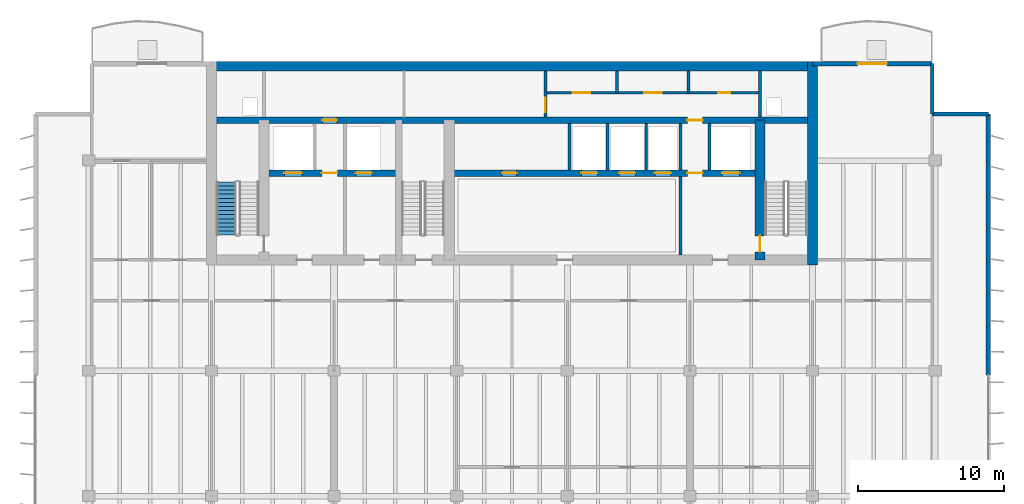
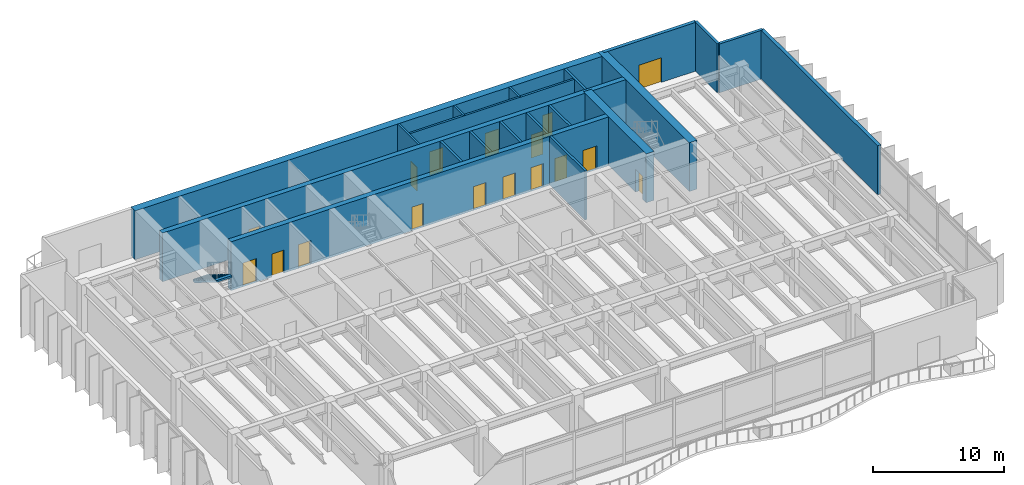
# One storey, part 10 of 15: 20 walls, 17 doors, 1 stair flight, 17 openings, 1 element without a shape of its own.
"""IFC4 building model written with IfcOpenShell, lengths in metres."""

from ifc_helpers import new_model, si_unit, direction, frame, frame_2d, origin, place, context, subcontext, project, spatial, polyline, rectangle, outline, extrude, material, layer, layer_set, type_object, element, fill, aggregate, save


model = new_model("IFC4")

# Units and contexts
model_context = context("Model", 3, precision=1e-05, world=origin(), true_north=direction((0.0, 1.0)))
body_context = subcontext(model_context, "Body", "Model", "MODEL_VIEW")
ifc_project = project(units=[si_unit("LENGTHUNIT", "METRE"), si_unit("AREAUNIT", "SQUARE_METRE"), si_unit("VOLUMEUNIT", "CUBIC_METRE"), si_unit("PLANEANGLEUNIT", "RADIAN"), si_unit("MASSUNIT", "GRAM", prefix="KILO")], contexts=[model_context])

# Site, building, storey
site_placement = place(None, origin())
site = spatial("IfcSite", under=ifc_project, at=site_placement, CompositionType="ELEMENT")
building_placement = place(site_placement, origin())
building = spatial("IfcBuilding", under=site, at=building_placement, Name="Caelmar Bay Residences", CompositionType="ELEMENT")
storey_placement = place(building_placement, frame((0.0, 0.0, 183.60009765625)))
storey = spatial("IfcBuildingStorey", under=building, at=storey_placement, Name="L51", CompositionType="ELEMENT", Elevation=183.60009765625)

# Wall
ifc_material_1 = material(Name="Concrete f'c 55 MPa (8,000 psi)", Category="concrete")
ifc_layer_1 = layer(ifc_material_1, 0.699951171875)
ifc_layer_set_1 = layer_set([ifc_layer_1], Name="Concrete f'c 55 MPa (8,000 psi)")
wall_type_1 = type_object("IfcWallType", Name="SW-COR-700", PredefinedType="SHEAR", material=ifc_layer_set_1)
wall_1_placement = place(storey_placement, frame((59.5, 36.64990234375, 0.0), z_axis=(0.0, 0.0, 1.0), x_axis=(0.0, 1.0, 0.0)))
element("IfcWall", 1, at=wall_1_placement, inside=storey, type_object=wall_type_1, Name="L51 Rear Core East Shear Wall", PredefinedType="SHEAR", context=body_context, shape_type="SweptSolid", body=[
    extrude(rectangle(XDim=13.9501953125, YDim=0.699951171875, at=frame_2d((6.97509765625, 0.0))), origin(), (0.0, 0.0, 1.0), 4.5498046875),
])

# Wall, opening, door
wall_2_placement = place(storey_placement, frame((55.89990234375, 37.0, 0.0), z_axis=(0.0, 0.0, 1.0), x_axis=(0.0, 1.0, 0.0)))
wall_2 = element("IfcWall", 2, at=wall_2_placement, inside=storey, type_object=wall_type_1, Name="L51 Core Structural Web Wall ST2W", PredefinedType="SHEAR", context=body_context, shape_type="SweptSolid", body=[
    extrude(rectangle(XDim=9.574951171875, YDim=0.699951171875, at=frame_2d((4.78759765625, 0.0))), origin(), (0.0, 0.0, 1.0), 4.5498046875),
])
opening_1_placement = place(wall_2_placement, frame((0.550048828125, 0.0, 0.0)))
opening_1 = element("IfcOpeningElement", 3, at=opening_1_placement, cuts=wall_2, Name="Opening D-L51-112", PredefinedType="OPENING", context=body_context, shape_type="SweptSolid", body=[
    extrude(rectangle(XDim=1.10009765625, YDim=2.14990234375, at=frame_2d((0.550048828125, 1.074951171875))), frame((0.0, 0.35986328125, 0.0), z_axis=(0.0, -1.0, 0.0), x_axis=(1.0, 0.0, 0.0)), (0.0, 0.0, 1.0), 0.719970703125),
])
ifc_material_2 = material(Name="Fire-rated steel and walnut architectural door assembly", Category="steel")
ifc_layer_2 = layer(ifc_material_2, 0.050048828125)
ifc_layer_set_2 = layer_set([ifc_layer_2], Name="Fire-rated steel and walnut architectural door assembly")
door_type_1 = type_object("IfcDoorType", Name="D-STAIR-1100", OperationType="NOTDEFINED", PredefinedType="DOOR", material=ifc_layer_set_2)
door_1_placement = place(opening_1_placement, origin())
door_1 = element("IfcDoor", 4, at=door_1_placement, inside=storey, type_object=door_type_1, Name="L51 Firefighting Lobby East Door", OperationType="SINGLE_SWING_RIGHT", OverallHeight=2.14990234375, OverallWidth=1.10009765625, PredefinedType="DOOR", context=body_context, shape_type="SweptSolid", body=[
    extrude(rectangle(XDim=1.10009765625, YDim=2.14990234375, at=frame_2d((0.550048828125, 1.074951171875))), frame((0.0, 0.02490234375, 0.0), z_axis=(0.0, -1.0, 0.0), x_axis=(1.0, 0.0, 0.0)), (0.0, 0.0, 1.0), 0.050048828125),
])
fill(opening_1, door_1)

# Wall
ifc_layer_3 = layer(ifc_material_1, 0.64990234375)
ifc_layer_set_3 = layer_set([ifc_layer_3], Name="Concrete f'c 55 MPa (8,000 psi)")
wall_type_2 = type_object("IfcWallType", Name="SW-CORN-650", PredefinedType="SHEAR", material=ifc_layer_set_3)
wall_3_placement = place(storey_placement, frame((17.949951171875, 50.27490234375, 0.0), z_axis=(0.0, 0.0, 1.0), x_axis=(1.0, 0.0, 0.0)))
element("IfcWall", 5, at=wall_3_placement, inside=storey, type_object=wall_type_2, Name="L51 Rear Core North Shear Wall", PredefinedType="SHEAR", context=body_context, shape_type="SweptSolid", body=[
    extrude(rectangle(XDim=41.900146484375, YDim=0.64990234375, at=frame_2d((20.9501953125, 0.0))), origin(), (0.0, 0.0, 1.0), 4.5498046875),
])

# Wall, openings, doors
ifc_material_3 = material(Name="Concrete f'c 70 MPa (10,000 psi)", Category="concrete")
ifc_layer_4 = layer(ifc_material_3, 0.449951171875)
ifc_layer_set_4 = layer_set([ifc_layer_4], Name="Concrete f'c 70 MPa (10,000 psi)")
wall_type_3 = type_object("IfcWallType", Name="SW-WEB-450", PredefinedType="SHEAR", material=ifc_layer_set_4)
wall_4_placement = place(storey_placement, frame((22.25, 42.949951171875, 0.0), z_axis=(0.0, 0.0, 1.0), x_axis=(1.0, 0.0, 0.0)))
wall_4 = element("IfcWall", 6, at=wall_4_placement, inside=storey, type_object=wall_type_3, Name="L51 Core Structural Web Wall LFR", PredefinedType="SHEAR", context=body_context, shape_type="SweptSolid", body=[
    extrude(rectangle(XDim=33.300048828125, YDim=0.449951171875, at=frame_2d((16.64990234375, 0.0))), origin(), (0.0, 0.0, 1.0), 4.5498046875),
])
opening_2_placement = place(wall_4_placement, frame((1.050048828125, 0.0, 0.0)))
opening_2 = element("IfcOpeningElement", 7, at=opening_2_placement, cuts=wall_4, Name="Opening LD2", PredefinedType="OPENING", context=body_context, shape_type="SweptSolid", body=[
    extrude(rectangle(XDim=1.199951171875, YDim=2.199951171875, at=frame_2d((0.60009765625, 1.10009765625))), frame((0.0, 0.23486328125, 0.0), z_axis=(0.0, -1.0, 0.0), x_axis=(1.0, 0.0, 0.0)), (0.0, 0.0, 1.0), 0.469970703125),
])
opening_3_placement = place(wall_4_placement, frame((31.050048828125, 0.0, 0.0)))
opening_3 = element("IfcOpeningElement", 8, at=opening_3_placement, cuts=wall_4, Name="Opening LD2", PredefinedType="OPENING", context=body_context, shape_type="SweptSolid", body=[
    extrude(rectangle(XDim=1.199951171875, YDim=2.199951171875, at=frame_2d((0.60009765625, 1.10009765625))), frame((0.0, 0.23486328125, 0.0), z_axis=(0.0, -1.0, 0.0), x_axis=(1.0, 0.0, 0.0)), (0.0, 0.0, 1.0), 0.469970703125),
])
opening_4_placement = place(wall_4_placement, frame((21.39990234375, 0.0, 0.0)))
opening_4 = element("IfcOpeningElement", 9, at=opening_4_placement, cuts=wall_4, Name="Opening LD1", PredefinedType="OPENING", context=body_context, shape_type="SweptSolid", body=[
    extrude(rectangle(XDim=1.10009765625, YDim=2.199951171875, at=frame_2d((0.550048828125, 1.10009765625))), frame((0.0, 0.23486328125, 0.0), z_axis=(0.0, -1.0, 0.0), x_axis=(1.0, 0.0, 0.0)), (0.0, 0.0, 1.0), 0.469970703125),
])
opening_5_placement = place(wall_4_placement, frame((24.0, 0.0, 0.0)))
opening_5 = element("IfcOpeningElement", 10, at=opening_5_placement, cuts=wall_4, Name="Opening LD1", PredefinedType="OPENING", context=body_context, shape_type="SweptSolid", body=[
    extrude(rectangle(XDim=1.10009765625, YDim=2.199951171875, at=frame_2d((0.550048828125, 1.10009765625))), frame((0.0, 0.23486328125, 0.0), z_axis=(0.0, -1.0, 0.0), x_axis=(1.0, 0.0, 0.0)), (0.0, 0.0, 1.0), 0.469970703125),
])
opening_6_placement = place(wall_4_placement, frame((26.449951171875, 0.0, 0.0)))
opening_6 = element("IfcOpeningElement", 11, at=opening_6_placement, cuts=wall_4, Name="Opening LD1", PredefinedType="OPENING", context=body_context, shape_type="SweptSolid", body=[
    extrude(rectangle(XDim=1.10009765625, YDim=2.199951171875, at=frame_2d((0.550048828125, 1.10009765625))), frame((0.0, 0.23486328125, 0.0), z_axis=(0.0, -1.0, 0.0), x_axis=(1.0, 0.0, 0.0)), (0.0, 0.0, 1.0), 0.469970703125),
])
opening_7_placement = place(wall_4_placement, frame((5.949951171875, 0.0, 0.0)))
opening_7 = element("IfcOpeningElement", 12, at=opening_7_placement, cuts=wall_4, Name="Opening LD1", PredefinedType="OPENING", context=body_context, shape_type="SweptSolid", body=[
    extrude(rectangle(XDim=1.10009765625, YDim=2.199951171875, at=frame_2d((0.550048828125, 1.10009765625))), frame((0.0, 0.23486328125, 0.0), z_axis=(0.0, -1.0, 0.0), x_axis=(1.0, 0.0, 0.0)), (0.0, 0.0, 1.0), 0.469970703125),
])
opening_8_placement = place(wall_4_placement, frame((3.625, 0.0, 0.0)))
opening_8 = element("IfcOpeningElement", 13, at=opening_8_placement, cuts=wall_4, Name="Opening D-L51-110", PredefinedType="OPENING", context=body_context, shape_type="SweptSolid", body=[
    extrude(rectangle(XDim=1.050048828125, YDim=2.14990234375, at=frame_2d((0.52490234375, 1.074951171875))), frame((0.0, 0.23486328125, 0.0), z_axis=(0.0, -1.0, 0.0), x_axis=(1.0, 0.0, 0.0)), (0.0, 0.0, 1.0), 0.469970703125),
])
opening_9_placement = place(wall_4_placement, frame((28.675048828125, 0.0, 0.0)))
opening_9 = element("IfcOpeningElement", 14, at=opening_9_placement, cuts=wall_4, Name="Opening D-L51-113", PredefinedType="OPENING", context=body_context, shape_type="SweptSolid", body=[
    extrude(rectangle(XDim=1.050048828125, YDim=2.14990234375, at=frame_2d((0.52490234375, 1.074951171875))), frame((0.0, 0.23486328125, 0.0), z_axis=(0.0, -1.0, 0.0), x_axis=(1.0, 0.0, 0.0)), (0.0, 0.0, 1.0), 0.469970703125),
])
opening_10_placement = place(wall_4_placement, frame((15.97509765625, 0.0, 0.0)))
opening_10 = element("IfcOpeningElement", 15, at=opening_10_placement, cuts=wall_4, Name="Opening D-L51-116", PredefinedType="OPENING", context=body_context, shape_type="SweptSolid", body=[
    extrude(rectangle(XDim=1.0, YDim=2.199951171875, at=frame_2d((0.5, 1.10009765625))), frame((0.0, 0.23486328125, 0.0), z_axis=(0.0, -1.0, 0.0), x_axis=(1.0, 0.0, 0.0)), (0.0, 0.0, 1.0), 0.469970703125),
])
ifc_layer_5 = layer(ifc_material_2, 0.050048828125)
ifc_layer_set_5 = layer_set([ifc_layer_5], Name="Fire-rated steel and walnut architectural door assembly")
door_type_2 = type_object("IfcDoorType", Name="D-FSAE-1050", OperationType="NOTDEFINED", PredefinedType="DOOR", material=ifc_layer_set_5)
door_2_placement = place(opening_8_placement, origin())
door_2 = element("IfcDoor", 16, at=door_2_placement, inside=storey, type_object=door_type_2, Name="L51 Firefighting Lobby West Door", OperationType="SINGLE_SWING_RIGHT", OverallHeight=2.14990234375, OverallWidth=1.050048828125, PredefinedType="DOOR", context=body_context, shape_type="SweptSolid", body=[
    extrude(rectangle(XDim=1.050048828125, YDim=2.14990234375, at=frame_2d((0.52490234375, 1.074951171875))), frame((0.0, 0.02490234375, 0.0), z_axis=(0.0, -1.0, 0.0), x_axis=(1.0, 0.0, 0.0)), (0.0, 0.0, 1.0), 0.050048828125),
])
fill(opening_8, door_2)
door_3_placement = place(opening_9_placement, origin())
door_3 = element("IfcDoor", 17, at=door_3_placement, inside=storey, type_object=door_type_2, Name="L51 Firefighting Lobby East Door", OperationType="SINGLE_SWING_LEFT", OverallHeight=2.14990234375, OverallWidth=1.050048828125, PredefinedType="DOOR", context=body_context, shape_type="SweptSolid", body=[
    extrude(rectangle(XDim=1.050048828125, YDim=2.14990234375, at=frame_2d((0.52490234375, 1.074951171875))), frame((0.0, 0.02490234375, 0.0), z_axis=(0.0, -1.0, 0.0), x_axis=(1.0, 0.0, 0.0)), (0.0, 0.0, 1.0), 0.050048828125),
])
fill(opening_9, door_3)
ifc_material_4 = material(Name="Brushed bronze stainless-steel fire-rated lift landing doors", Category="steel")
ifc_layer_6 = layer(ifc_material_4, 0.050048828125)
ifc_layer_set_6 = layer_set([ifc_layer_6], Name="Brushed bronze stainless-steel fire-rated lift landing doors")
door_type_3 = type_object("IfcDoorType", Name="D-LND-1100", OperationType="DOUBLE_DOOR_SLIDING", PredefinedType="DOOR", material=ifc_layer_set_6)
door_4_placement = place(opening_4_placement, origin())
door_4 = element("IfcDoor", 18, at=door_4_placement, inside=storey, type_object=door_type_3, Name="L51 LP4 Sliding Landing Door", OperationType="DOUBLE_DOOR_SLIDING", OverallHeight=2.199951171875, OverallWidth=1.10009765625, PredefinedType="DOOR", context=body_context, shape_type="SweptSolid", body=[
    extrude(rectangle(XDim=1.10009765625, YDim=2.199951171875, at=frame_2d((0.550048828125, 1.10009765625))), frame((0.0, 0.02490234375, 0.0), z_axis=(0.0, -1.0, 0.0), x_axis=(1.0, 0.0, 0.0)), (0.0, 0.0, 1.0), 0.050048828125),
])
fill(opening_4, door_4)
door_5_placement = place(opening_5_placement, origin())
door_5 = element("IfcDoor", 19, at=door_5_placement, inside=storey, type_object=door_type_3, Name="L51 LP5 Sliding Landing Door", OperationType="DOUBLE_DOOR_SLIDING", OverallHeight=2.199951171875, OverallWidth=1.10009765625, PredefinedType="DOOR", context=body_context, shape_type="SweptSolid", body=[
    extrude(rectangle(XDim=1.10009765625, YDim=2.199951171875, at=frame_2d((0.550048828125, 1.10009765625))), frame((0.0, 0.02490234375, 0.0), z_axis=(0.0, -1.0, 0.0), x_axis=(1.0, 0.0, 0.0)), (0.0, 0.0, 1.0), 0.050048828125),
])
fill(opening_5, door_5)
door_6_placement = place(opening_6_placement, origin())
door_6 = element("IfcDoor", 20, at=door_6_placement, inside=storey, type_object=door_type_3, Name="L51 LP6 Sliding Landing Door", OperationType="DOUBLE_DOOR_SLIDING", OverallHeight=2.199951171875, OverallWidth=1.10009765625, PredefinedType="DOOR", context=body_context, shape_type="SweptSolid", body=[
    extrude(rectangle(XDim=1.10009765625, YDim=2.199951171875, at=frame_2d((0.550048828125, 1.10009765625))), frame((0.0, 0.02490234375, 0.0), z_axis=(0.0, -1.0, 0.0), x_axis=(1.0, 0.0, 0.0)), (0.0, 0.0, 1.0), 0.050048828125),
])
fill(opening_6, door_6)
door_7_placement = place(opening_7_placement, origin())
door_7 = element("IfcDoor", 21, at=door_7_placement, inside=storey, type_object=door_type_3, Name="L51 LP7 Sliding Landing Door", OperationType="DOUBLE_DOOR_SLIDING", OverallHeight=2.199951171875, OverallWidth=1.10009765625, PredefinedType="DOOR", context=body_context, shape_type="SweptSolid", body=[
    extrude(rectangle(XDim=1.10009765625, YDim=2.199951171875, at=frame_2d((0.550048828125, 1.10009765625))), frame((0.0, 0.02490234375, 0.0), z_axis=(0.0, -1.0, 0.0), x_axis=(1.0, 0.0, 0.0)), (0.0, 0.0, 1.0), 0.050048828125),
])
fill(opening_7, door_7)
ifc_material_5 = material(Name="Brushed stainless-steel FSAE sliding landing door", Category="steel")
ifc_layer_7 = layer(ifc_material_5, 0.050048828125)
ifc_layer_set_7 = layer_set([ifc_layer_7], Name="Brushed stainless-steel FSAE sliding landing door")
door_type_4 = type_object("IfcDoorType", Name="D-LND-1200", OperationType="DOUBLE_DOOR_SLIDING", PredefinedType="DOOR", material=ifc_layer_set_7)
door_8_placement = place(opening_2_placement, origin())
door_8 = element("IfcDoor", 22, at=door_8_placement, inside=storey, type_object=door_type_4, Name="L51 LF1 Sliding Landing Door", OperationType="DOUBLE_DOOR_SLIDING", OverallHeight=2.199951171875, OverallWidth=1.199951171875, PredefinedType="DOOR", context=body_context, shape_type="SweptSolid", body=[
    extrude(rectangle(XDim=1.199951171875, YDim=2.199951171875, at=frame_2d((0.60009765625, 1.10009765625))), frame((0.0, 0.02490234375, 0.0), z_axis=(0.0, -1.0, 0.0), x_axis=(1.0, 0.0, 0.0)), (0.0, 0.0, 1.0), 0.050048828125),
])
fill(opening_2, door_8)
door_9_placement = place(opening_3_placement, origin())
door_9 = element("IfcDoor", 23, at=door_9_placement, inside=storey, type_object=door_type_4, Name="L51 LF2 Sliding Landing Door", OperationType="DOUBLE_DOOR_SLIDING", OverallHeight=2.199951171875, OverallWidth=1.199951171875, PredefinedType="DOOR", context=body_context, shape_type="SweptSolid", body=[
    extrude(rectangle(XDim=1.199951171875, YDim=2.199951171875, at=frame_2d((0.60009765625, 1.10009765625))), frame((0.0, 0.02490234375, 0.0), z_axis=(0.0, -1.0, 0.0), x_axis=(1.0, 0.0, 0.0)), (0.0, 0.0, 1.0), 0.050048828125),
])
fill(opening_3, door_9)
ifc_layer_8 = layer(ifc_material_2, 0.050048828125)
ifc_layer_set_8 = layer_set([ifc_layer_8], Name="Fire-rated steel and walnut architectural door assembly")
door_type_5 = type_object("IfcDoorType", Name="D-UNIT-1000", OperationType="NOTDEFINED", PredefinedType="DOOR", material=ifc_layer_set_8)
door_10_placement = place(opening_10_placement, origin())
door_10 = element("IfcDoor", 24, at=door_10_placement, inside=storey, type_object=door_type_5, Name="L51 Quiet Reading Study Door", OperationType="SINGLE_SWING_RIGHT", OverallHeight=2.199951171875, OverallWidth=1.0, PredefinedType="DOOR", context=body_context, shape_type="SweptSolid", body=[
    extrude(rectangle(XDim=1.0, YDim=2.199951171875, at=frame_2d((0.5, 1.10009765625))), frame((0.0, 0.02490234375, 0.0), z_axis=(0.0, -1.0, 0.0), x_axis=(1.0, 0.0, 0.0)), (0.0, 0.0, 1.0), 0.050048828125),
])
fill(opening_10, door_10)

wall_5_placement = place(storey_placement, frame((18.300048828125, 46.574951171875, 0.0), z_axis=(0.0, 0.0, 1.0), x_axis=(1.0, 0.0, 0.0)))
wall_5 = element("IfcWall", 25, at=wall_5_placement, inside=storey, type_object=wall_type_3, Name="L51 Core Structural Web Wall SRVS", PredefinedType="SHEAR", context=body_context, shape_type="SweptSolid", body=[
    extrude(rectangle(XDim=41.199951171875, YDim=0.449951171875, at=frame_2d((20.60009765625, 0.0))), origin(), (0.0, 0.0, 1.0), 4.5498046875),
])
opening_11_placement = place(wall_5_placement, frame((7.60009765625, 0.0, 0.0)))
opening_11 = element("IfcOpeningElement", 26, at=opening_11_placement, cuts=wall_5, Name="Opening D-L51-117", PredefinedType="OPENING", context=body_context, shape_type="SweptSolid", body=[
    extrude(rectangle(XDim=1.0, YDim=2.199951171875, at=frame_2d((0.5, 1.10009765625))), frame((0.0, 0.23486328125, 0.0), z_axis=(0.0, -1.0, 0.0), x_axis=(1.0, 0.0, 0.0)), (0.0, 0.0, 1.0), 0.469970703125),
])
opening_12_placement = place(wall_5_placement, frame((32.625, 0.0, 0.0)))
opening_12 = element("IfcOpeningElement", 27, at=opening_12_placement, cuts=wall_5, Name="Opening D-L51-118", PredefinedType="OPENING", context=body_context, shape_type="SweptSolid", body=[
    extrude(rectangle(XDim=1.050048828125, YDim=2.14990234375, at=frame_2d((0.52490234375, 1.074951171875))), frame((0.0, 0.23486328125, 0.0), z_axis=(0.0, -1.0, 0.0), x_axis=(1.0, 0.0, 0.0)), (0.0, 0.0, 1.0), 0.469970703125),
])
door_11_placement = place(opening_12_placement, origin())
door_11 = element("IfcDoor", 28, at=door_11_placement, inside=storey, type_object=door_type_2, Name="L51 East Core Service Corridor Door", OperationType="SINGLE_SWING_RIGHT", OverallHeight=2.14990234375, OverallWidth=1.050048828125, PredefinedType="DOOR", context=body_context, shape_type="SweptSolid", body=[
    extrude(rectangle(XDim=1.050048828125, YDim=2.14990234375, at=frame_2d((0.52490234375, 1.074951171875))), frame((0.0, 0.02490234375, 0.0), z_axis=(0.0, -1.0, 0.0), x_axis=(1.0, 0.0, 0.0)), (0.0, 0.0, 1.0), 0.050048828125),
])
fill(opening_12, door_11)
door_12_placement = place(opening_11_placement, origin())
door_12 = element("IfcDoor", 29, at=door_12_placement, inside=storey, type_object=door_type_5, Name="L51 Package Concierge Office Door", OperationType="SINGLE_SWING_LEFT", OverallHeight=2.199951171875, OverallWidth=1.0, PredefinedType="DOOR", context=body_context, shape_type="SweptSolid", body=[
    extrude(rectangle(XDim=1.0, YDim=2.199951171875, at=frame_2d((0.5, 1.10009765625))), frame((0.0, 0.02490234375, 0.0), z_axis=(0.0, -1.0, 0.0), x_axis=(1.0, 0.0, 0.0)), (0.0, 0.0, 1.0), 0.050048828125),
])
fill(opening_11, door_12)

# Wall, opening, door
ifc_material_6 = material(Name="Double-stud acoustic fire-rated gypsum partition 180 mm")
ifc_layer_9 = layer(ifc_material_6, 0.179931640625)
ifc_layer_set_9 = layer_set([ifc_layer_9], Name="Double-stud acoustic fire-rated gypsum partition 180 mm")
wall_type_4 = type_object("IfcWallType", Name="W-COR-200", PredefinedType="PARTITIONING", material=ifc_layer_set_9)
wall_6_placement = place(storey_placement, frame((41.199951171875, 46.794921875, 0.0), z_axis=(0.0, 0.0, 1.0), x_axis=(0.0, 1.0, 0.0)))
wall_6 = element("IfcWall", 30, at=wall_6_placement, inside=storey, type_object=wall_type_4, Name="L51 Partition Wall V012", PredefinedType="PARTITIONING", context=body_context, shape_type="SweptSolid", body=[
    extrude(rectangle(XDim=3.16015625, YDim=0.179931640625, at=frame_2d((1.580078125, 0.0))), origin(), (0.0, 0.0, 1.0), 4.5498046875),
])
opening_13_placement = place(wall_6_placement, frame((0.327392578125, 0.0, 0.0)))
opening_13 = element("IfcOpeningElement", 31, at=opening_13_placement, cuts=wall_6, Name="Opening D-L51-119", PredefinedType="OPENING", context=body_context, shape_type="SweptSolid", body=[
    extrude(rectangle(XDim=1.0, YDim=2.199951171875, at=frame_2d((0.5, 1.10009765625))), frame((0.0, 0.099853515625, 0.0), z_axis=(0.0, -1.0, 0.0), x_axis=(1.0, 0.0, 0.0)), (0.0, 0.0, 1.0), 0.199951171875),
])
door_13_placement = place(opening_13_placement, origin())
door_13 = element("IfcDoor", 32, at=door_13_placement, inside=storey, type_object=door_type_5, Name="L51 Engineering Control Office Door", OperationType="SINGLE_SWING_LEFT", OverallHeight=2.199951171875, OverallWidth=1.0, PredefinedType="DOOR", context=body_context, shape_type="SweptSolid", body=[
    extrude(rectangle(XDim=1.0, YDim=2.199951171875, at=frame_2d((0.5, 1.10009765625))), frame((0.0, 0.02490234375, 0.0), z_axis=(0.0, -1.0, 0.0), x_axis=(1.0, 0.0, 0.0)), (0.0, 0.0, 1.0), 0.050048828125),
])
fill(opening_13, door_13)

# Walls
for number, where, z_axis, x_axis, name in (
    (33, (46.10009765625, 48.449951171875, 0.0), (0.0, 0.0, 1.0), (0.0, 1.0, 0.0), "L51 Partition Wall V016"),
    (34, (51.0, 48.449951171875, 0.0), (0.0, 0.0, 1.0), (0.0, 1.0, 0.0), "L51 Partition Wall V020"),
):
    element("IfcWall", number, at=place(storey_placement, frame(where, z_axis=z_axis, x_axis=x_axis)), inside=storey, type_object=wall_type_4, Name=name, PredefinedType="PARTITIONING", context=body_context, shape_type="SweptSolid", body=[
        extrude(rectangle(XDim=1.505126953125, YDim=0.179931640625, at=frame_2d((0.75244140625, 0.0))), origin(), (0.0, 0.0, 1.0), 4.5498046875),
    ])

# Wall, openings, doors
wall_7_placement = place(storey_placement, frame((41.199951171875, 48.449951171875, 0.0), z_axis=(0.0, 0.0, 1.0), x_axis=(1.0, 0.0, 0.0)))
wall_7 = element("IfcWall", 35, at=wall_7_placement, inside=storey, type_object=wall_type_4, Name="L51 Partition Wall H034", PredefinedType="PARTITIONING", context=body_context, shape_type="SweptSolid", body=[
    extrude(rectangle(XDim=14.699951171875, YDim=0.179931640625, at=frame_2d((7.35009765625, 0.0))), origin(), (0.0, 0.0, 1.0), 4.5498046875),
])
opening_14_placement = place(wall_7_placement, frame((1.85009765625, 0.0, 0.0)))
opening_14 = element("IfcOpeningElement", 36, at=opening_14_placement, cuts=wall_7, Name="Opening D-L51-120", PredefinedType="OPENING", context=body_context, shape_type="SweptSolid", body=[
    extrude(rectangle(XDim=1.199951171875, YDim=2.199951171875, at=frame_2d((0.60009765625, 1.10009765625))), frame((0.0, 0.099853515625, 0.0), z_axis=(0.0, -1.0, 0.0), x_axis=(1.0, 0.0, 0.0)), (0.0, 0.0, 1.0), 0.199951171875),
])
opening_15_placement = place(wall_7_placement, frame((6.75, 0.0, 0.0)))
opening_15 = element("IfcOpeningElement", 37, at=opening_15_placement, cuts=wall_7, Name="Opening D-L51-121", PredefinedType="OPENING", context=body_context, shape_type="SweptSolid", body=[
    extrude(rectangle(XDim=1.199951171875, YDim=2.199951171875, at=frame_2d((0.60009765625, 1.10009765625))), frame((0.0, 0.099853515625, 0.0), z_axis=(0.0, -1.0, 0.0), x_axis=(1.0, 0.0, 0.0)), (0.0, 0.0, 1.0), 0.199951171875),
])
opening_16_placement = place(wall_7_placement, frame((11.824951171875, 0.0, 0.0)))
opening_16 = element("IfcOpeningElement", 38, at=opening_16_placement, cuts=wall_7, Name="Opening D-L51-122", PredefinedType="OPENING", context=body_context, shape_type="SweptSolid", body=[
    extrude(rectangle(XDim=0.85009765625, YDim=2.10009765625, at=frame_2d((0.425048828125, 1.050048828125))), frame((0.0, 0.099853515625, 0.0), z_axis=(0.0, -1.0, 0.0), x_axis=(1.0, 0.0, 0.0)), (0.0, 0.0, 1.0), 0.199951171875),
])
ifc_layer_10 = layer(ifc_material_2, 0.050048828125)
ifc_layer_set_10 = layer_set([ifc_layer_10], Name="Fire-rated steel and walnut architectural door assembly")
door_type_6 = type_object("IfcDoorType", Name="D-CORE-850", OperationType="NOTDEFINED", PredefinedType="DOOR", material=ifc_layer_set_10)
door_14_placement = place(opening_16_placement, origin())
door_14 = element("IfcDoor", 39, at=door_14_placement, inside=storey, type_object=door_type_6, Name="L51 Accessible Staff WC Door", OperationType="SINGLE_SWING_RIGHT", OverallHeight=2.10009765625, OverallWidth=0.85009765625, PredefinedType="DOOR", context=body_context, shape_type="SweptSolid", body=[
    extrude(rectangle(XDim=0.85009765625, YDim=2.10009765625, at=frame_2d((0.425048828125, 1.050048828125))), frame((0.0, 0.02490234375, 0.0), z_axis=(0.0, -1.0, 0.0), x_axis=(1.0, 0.0, 0.0)), (0.0, 0.0, 1.0), 0.050048828125),
])
fill(opening_16, door_14)
ifc_layer_11 = layer(ifc_material_2, 0.050048828125)
ifc_layer_set_11 = layer_set([ifc_layer_11], Name="Fire-rated steel and walnut architectural door assembly")
door_type_7 = type_object("IfcDoorType", Name="D-PLANT-1200", OperationType="NOTDEFINED", PredefinedType="DOOR", material=ifc_layer_set_11)
door_15_placement = place(opening_14_placement, origin())
door_15 = element("IfcDoor", 40, at=door_15_placement, inside=storey, type_object=door_type_7, Name="L51 Electrical Closet Door", OperationType="SINGLE_SWING_RIGHT", OverallHeight=2.199951171875, OverallWidth=1.199951171875, PredefinedType="DOOR", context=body_context, shape_type="SweptSolid", body=[
    extrude(rectangle(XDim=1.199951171875, YDim=2.199951171875, at=frame_2d((0.60009765625, 1.10009765625))), frame((0.0, 0.02490234375, 0.0), z_axis=(0.0, -1.0, 0.0), x_axis=(1.0, 0.0, 0.0)), (0.0, 0.0, 1.0), 0.050048828125),
])
fill(opening_14, door_15)
door_16_placement = place(opening_15_placement, origin())
door_16 = element("IfcDoor", 41, at=door_16_placement, inside=storey, type_object=door_type_7, Name="L51 Housekeeping Linen Closet Door", OperationType="SINGLE_SWING_LEFT", OverallHeight=2.199951171875, OverallWidth=1.199951171875, PredefinedType="DOOR", context=body_context, shape_type="SweptSolid", body=[
    extrude(rectangle(XDim=1.199951171875, YDim=2.199951171875, at=frame_2d((0.60009765625, 1.10009765625))), frame((0.0, 0.02490234375, 0.0), z_axis=(0.0, -1.0, 0.0), x_axis=(1.0, 0.0, 0.0)), (0.0, 0.0, 1.0), 0.050048828125),
])
fill(opening_15, door_16)

# Walls
ifc_material_7 = material(Name="Precast concrete f'c 40 MPa (6,000 psi)", Category="concrete")
ifc_layer_12 = layer(ifc_material_7, 0.25)
ifc_layer_set_12 = layer_set([ifc_layer_12], Name="Precast concrete f'c 40 MPa (6,000 psi)")
wall_type_5 = type_object("IfcWallType", Name="W-EXT-250", PredefinedType="ELEMENTEDWALL", material=ifc_layer_set_12)
wall_8_placement = place(storey_placement, frame((67.699951171875, 50.449951171875, 0.0), z_axis=(0.0, 0.0, 1.0), x_axis=(0.0, -1.0, 0.0)))
element("IfcWall", 42, at=wall_8_placement, inside=storey, type_object=wall_type_5, Name="L51 NNE-V Notch Wall", PredefinedType="ELEMENTEDWALL", context=body_context, shape_type="SweptSolid", body=[
    extrude(rectangle(XDim=3.449951171875, YDim=0.25, at=frame_2d((1.72509765625, 0.0))), origin(), (0.0, 0.0, 1.0), 4.5498046875),
])
wall_9_placement = place(storey_placement, frame((67.699951171875, 47.0, 0.0), z_axis=(0.0, 0.0, 1.0), x_axis=(1.0, 0.0, 0.0)))
element("IfcWall", 43, at=wall_9_placement, inside=storey, type_object=wall_type_5, Name="L51 NNE-H Notch Wall", PredefinedType="ELEMENTEDWALL", context=body_context, shape_type="SweptSolid", body=[
    extrude(rectangle(XDim=3.85009765625, YDim=0.25, at=frame_2d((1.925048828125, 0.0))), origin(), (0.0, 0.0, 1.0), 4.5498046875),
])
ifc_layer_13 = layer(ifc_material_7, 0.300048828125)
ifc_layer_set_13 = layer_set([ifc_layer_13], Name="Precast concrete f'c 40 MPa (6,000 psi)")
wall_type_6 = type_object("IfcWallType", Name="W-EXT-300", PredefinedType="STANDARD", material=ifc_layer_set_13)
wall_10_placement = place(storey_placement, frame((71.550048828125, 47.0, 0.0), z_axis=(0.0, 0.0, 1.0), x_axis=(0.0, -1.0, 0.0)))
element("IfcWall", 44, at=wall_10_placement, inside=storey, type_object=wall_type_6, Name="L51 East Rear Exterior Wall", PredefinedType="STANDARD", context=body_context, shape_type="SweptSolid", body=[
    extrude(rectangle(XDim=17.89990234375, YDim=0.300048828125, at=frame_2d((8.949951171875, 0.0))), origin(), (0.0, 0.0, 1.0), 4.5498046875),
])

# Wall, opening, door
wall_11_placement = place(storey_placement, frame((59.5, 50.449951171875, 0.0), z_axis=(0.0, 0.0, 1.0), x_axis=(1.0, 0.0, 0.0)))
wall_11 = element("IfcWall", 45, at=wall_11_placement, inside=storey, type_object=wall_type_6, Name="L51 North-East Wing Exterior Wall", PredefinedType="STANDARD", context=body_context, shape_type="SweptSolid", body=[
    extrude(rectangle(XDim=8.199951171875, YDim=0.300048828125, at=frame_2d((4.10009765625, 0.0))), origin(), (0.0, 0.0, 1.0), 4.5498046875),
])
opening_17_placement = place(wall_11_placement, frame((3.10009765625, 0.0, 0.0)))
opening_17 = element("IfcOpeningElement", 46, at=opening_17_placement, cuts=wall_11, Name="Opening L51-BDNE", PredefinedType="OPENING", context=body_context, shape_type="SweptSolid", body=[
    extrude(rectangle(XDim=2.0, YDim=2.300048828125, at=frame_2d((1.0, 1.14990234375))), frame((0.0, 0.159912109375, 0.0), z_axis=(0.0, -1.0, 0.0), x_axis=(1.0, 0.0, 0.0)), (0.0, 0.0, 1.0), 0.320068359375),
])
ifc_material_8 = material(Name="Anodised bronze thermally broken sliding glass door", Category="glass")
ifc_layer_14 = layer(ifc_material_8, 0.050048828125)
ifc_layer_set_14 = layer_set([ifc_layer_14], Name="Anodised bronze thermally broken sliding glass door")
door_type_8 = type_object("IfcDoorType", Name="D-BAL-2000", OperationType="DOUBLE_DOOR_SLIDING", PredefinedType="DOOR", material=ifc_layer_set_14)
door_17_placement = place(opening_17_placement, origin())
door_17 = element("IfcDoor", 47, at=door_17_placement, inside=storey, type_object=door_type_8, Name="L51 North-East Balcony Door", OperationType="DOUBLE_DOOR_SLIDING", OverallHeight=2.300048828125, OverallWidth=2.0, PredefinedType="DOOR", context=body_context, shape_type="SweptSolid", body=[
    extrude(rectangle(XDim=2.0, YDim=2.300048828125, at=frame_2d((1.0, 1.14990234375))), frame((0.0, 0.02490234375, 0.0), z_axis=(0.0, -1.0, 0.0), x_axis=(1.0, 0.0, 0.0)), (0.0, 0.0, 1.0), 0.050048828125),
])
fill(opening_17, door_17)

# Walls
ifc_material_9 = material(Name="Fire-rated masonry and gypsum shaftliner assembly 200 mm", Category="masonry")
ifc_layer_15 = layer(ifc_material_9, 0.199951171875)
ifc_layer_set_15 = layer_set([ifc_layer_15], Name="Fire-rated masonry and gypsum shaftliner assembly 200 mm")
wall_type_7 = type_object("IfcWallType", Name="W-FSAE-200", PredefinedType="PARTITIONING", material=ifc_layer_set_15)
for number, where, z_axis, x_axis, name in (
    (48, (42.85009765625, 43.169921875, 0.0), (0.0, 0.0, 1.0), (0.0, 1.0, 0.0), "L51 Partition Wall V014"),
    (49, (45.449951171875, 43.169921875, 0.0), (0.0, 0.0, 1.0), (0.0, 1.0, 0.0), "L51 Partition Wall V015"),
    (50, (48.10009765625, 43.169921875, 0.0), (0.0, 0.0, 1.0), (0.0, 1.0, 0.0), "L51 Partition Wall V017"),
):
    element("IfcWall", number, at=place(storey_placement, frame(where, z_axis=z_axis, x_axis=x_axis)), inside=storey, type_object=wall_type_7, Name=name, PredefinedType="PARTITIONING", context=body_context, shape_type="SweptSolid", body=[
        extrude(rectangle(XDim=3.18505859375, YDim=0.199951171875, at=frame_2d((1.592529296875, 0.0))), origin(), (0.0, 0.0, 1.0), 4.5498046875),
    ])
wall_12_placement = place(storey_placement, frame((50.449951171875, 37.344970703125, 0.0), z_axis=(0.0, 0.0, 1.0), x_axis=(0.0, 1.0, 0.0)))
element("IfcWall", 51, at=wall_12_placement, inside=storey, type_object=wall_type_7, Name="L51 Partition Wall V018", PredefinedType="PARTITIONING", context=body_context, shape_type="SweptSolid", body=[
    extrude(rectangle(XDim=5.385009765625, YDim=0.199951171875, at=frame_2d((2.6923828125, 0.0))), origin(), (0.0, 0.0, 1.0), 4.5498046875),
])
for number, where, z_axis, x_axis, name in (
    (52, (50.449951171875, 43.169921875, 0.0), (0.0, 0.0, 1.0), (0.0, 1.0, 0.0), "L51 Partition Wall V019"),
    (53, (52.449951171875, 43.169921875, 0.0), (0.0, 0.0, 1.0), (0.0, 1.0, 0.0), "L51 Partition Wall V023"),
):
    element("IfcWall", number, at=place(storey_placement, frame(where, z_axis=z_axis, x_axis=x_axis)), inside=storey, type_object=wall_type_7, Name=name, PredefinedType="PARTITIONING", context=body_context, shape_type="SweptSolid", body=[
        extrude(rectangle(XDim=3.18505859375, YDim=0.199951171875, at=frame_2d((1.592529296875, 0.0))), origin(), (0.0, 0.0, 1.0), 4.5498046875),
    ])
wall_13_placement = place(storey_placement, frame((55.89990234375, 46.794921875, 0.0), z_axis=(0.0, 0.0, 1.0), x_axis=(0.0, 1.0, 0.0)))
element("IfcWall", 54, at=wall_13_placement, inside=storey, type_object=wall_type_7, Name="L51 Partition Wall V024", PredefinedType="PARTITIONING", context=body_context, shape_type="SweptSolid", body=[
    extrude(rectangle(XDim=3.16015625, YDim=0.199951171875, at=frame_2d((1.580078125, 0.0))), origin(), (0.0, 0.0, 1.0), 4.5498046875),
])

# Stair, stair flight
ifc_material_10 = material(Name="Concrete f'c 40 MPa (6,000 psi)", Category="concrete")
stair_type = type_object("IfcStairType", Name="ST-TAL-170", PredefinedType="HALF_TURN_STAIR", material=ifc_material_10)
stair_placement = place(storey_placement, origin())
stair = element("IfcStair", 55, at=stair_placement, inside=storey, type_object=stair_type, Name="L51 West Smokeproof Exit Stair ST1", PredefinedType="HALF_TURN_STAIR")
stair_flight_type = type_object("IfcStairFlightType", Name="STF-1400", PredefinedType="STRAIGHT", material=ifc_material_7)
stair_flight_placement = place(storey_placement, frame((19.324951171875, 42.340087890625, 2.39990234375), z_axis=(0.0, 0.0, 1.0), x_axis=(0.0, -1.0, 0.0)))
stair_flight = element("IfcStairFlight", 56, at=stair_flight_placement, type_object=stair_flight_type, Name="ST1 flight 2", NumberOfRisers=14, NumberOfTreads=13, PredefinedType="STRAIGHT", RiserHeight=0.171428571, TreadLength=0.28, context=body_context, shape_type="SweptSolid", body=[
    extrude(outline(polyline([(0.0, 0.0), (0.0, 0.17138671875), (0.280029296875, 0.17138671875), (0.280029296875, 0.3427734375), (0.56005859375, 0.3427734375), (0.56005859375, 0.514404296875), (0.840087890625, 0.514404296875), (0.840087890625, 0.685791015625), (1.1201171875, 0.685791015625), (1.1201171875, 0.857177734375), (1.39990234375, 0.857177734375), (1.39990234375, 1.028564453125), (1.679931640625, 1.028564453125), (1.679931640625, 1.199951171875), (1.9599609375, 1.199951171875), (1.9599609375, 1.371337890625), (2.239990234375, 1.371337890625), (2.239990234375, 1.54296875), (2.52001953125, 1.54296875), (2.52001953125, 1.71435546875), (2.800048828125, 1.71435546875), (2.800048828125, 1.8857421875), (3.080078125, 1.8857421875), (3.080078125, 2.05712890625), (3.360107421875, 2.05712890625), (3.360107421875, 2.228515625), (3.639892578125, 2.228515625), (3.639892578125, 2.39990234375), (3.639892578125, 2.052734375), (0.287109375, 0.0), (0.0, 0.0)])), frame((0.0, 0.675048828125, 0.0), z_axis=(0.0, -1.0, 0.0), x_axis=(1.0, 0.0, 0.0)), (0.0, 0.0, 1.0), 1.35009765625),
])
aggregate(stair, [stair_flight])

save(model, "model.ifc")
